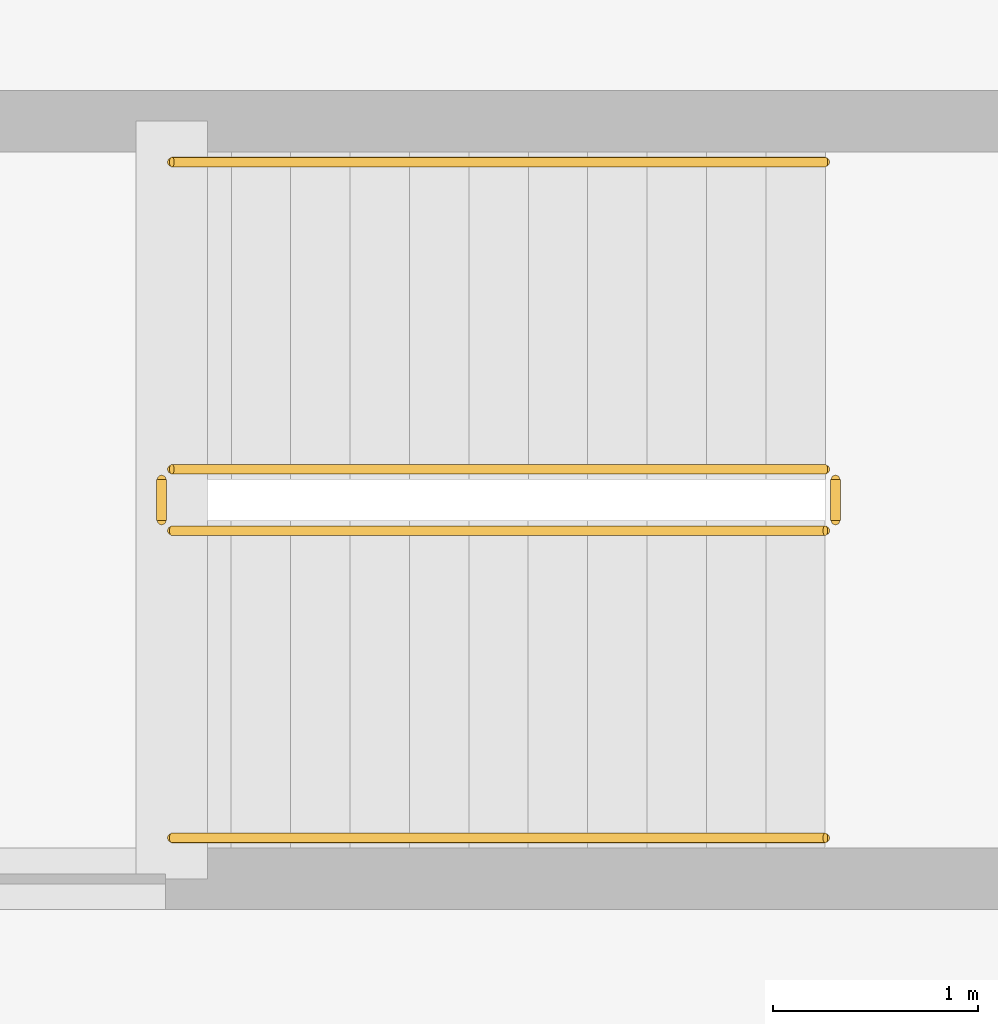
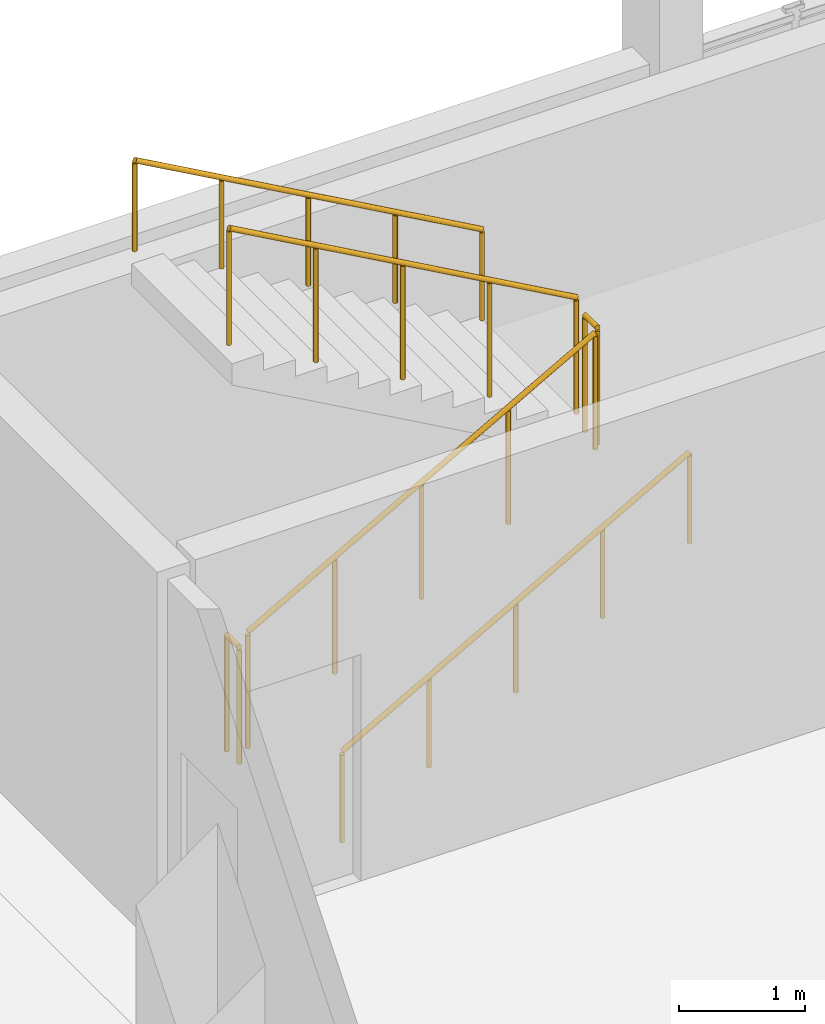
# One storey, part 185 of 188: 6 railings.
"""IFC4 building model written with IfcOpenShell, lengths in metres."""

from ifc_helpers import new_model, si_unit, direction, frame, origin, origin_2d, place, context, subcontext, project, spatial, circle, extrude, material, type_object, element, save


model = new_model("IFC4")

# Units and contexts
model_context = context("Model", 3, precision=1e-05, world=origin(), true_north=direction((0.0, 1.0)))
body_context = subcontext(model_context, "Body", "Model", "MODEL_VIEW")
ifc_project = project(units=[si_unit("LENGTHUNIT", "METRE"), si_unit("AREAUNIT", "SQUARE_METRE"), si_unit("VOLUMEUNIT", "CUBIC_METRE"), si_unit("PLANEANGLEUNIT", "RADIAN"), si_unit("MASSUNIT", "GRAM", prefix="KILO")], contexts=[model_context])

# Site, building, storey
site_placement = place(None, origin())
site = spatial("IfcSite", under=ifc_project, at=site_placement, CompositionType="ELEMENT")
building_placement = place(site_placement, origin())
building = spatial("IfcBuilding", under=site, at=building_placement, Name="Kisaragi Civic Commons", CompositionType="ELEMENT")
storey_placement = place(building_placement, frame((0.0, 0.0, 9.60009765625)))
storey = spatial("IfcBuildingStorey", under=building, at=storey_placement, Name="L02", CompositionType="ELEMENT", Elevation=9.60009765625)

# Railings
ifc_material = material(Name="Powder-coated architectural steel and hinoki cap rail", Category="steel")
railing_type_1 = type_object("IfcRailingType", Name="GRD-S1", PredefinedType="GUARDRAIL", material=ifc_material)
railing_1_placement = place(storey_placement, frame((91.39990234375, 115.35009765625, 0.162353515625)))
element("IfcRailing", 1, at=railing_1_placement, inside=storey, type_object=railing_type_1, Name="L02 ST-L4 stair guard 1", PredefinedType="GUARDRAIL", context=body_context, shape_type="SweptSolid", body=[
    extrude(circle(Radius=0.02392578125, at=origin_2d()), frame((0.0, 0.0, 1.1259765625), z_axis=(0.87237847985, 0.0, 0.488831042279), x_axis=(0.0, 1.0, 0.0)), (0.0, 0.0, 1.0), 3.656982421875),
    extrude(circle(Radius=0.02099609375, at=origin_2d()), origin(), (0.0, 0.0, 1.0), 1.101806640625),
    extrude(circle(Radius=0.02099609375, at=origin_2d()), frame((0.797607421875, 0.0, 0.44677734375)), (0.0, 0.0, 1.0), 1.101806640625),
    extrude(circle(Radius=0.02099609375, at=origin_2d()), frame((1.59521484375, 0.0, 0.893798828125)), (0.0, 0.0, 1.0), 1.101806640625),
    extrude(circle(Radius=0.02099609375, at=origin_2d()), frame((2.392578125, 0.0, 1.3408203125)), (0.0, 0.0, 1.0), 1.101806640625),
    extrude(circle(Radius=0.02099609375, at=origin_2d()), frame((3.190185546875, 0.0, 1.78759765625)), (0.0, 0.0, 1.0), 1.101806640625),
])
railing_2_placement = place(storey_placement, frame((94.639892578125, 115.39990234375, 1.949951171875)))
element("IfcRailing", 2, at=railing_2_placement, inside=storey, type_object=railing_type_1, Name="L02 ST-L4 stair guard 2", PredefinedType="GUARDRAIL", context=body_context, shape_type="SweptSolid", body=[
    extrude(circle(Radius=0.02392578125, at=origin_2d()), frame((0.0, 0.0, 1.1259765625), z_axis=(0.0, 1.0, 0.0), x_axis=(-1.0, 0.0, 0.0)), (0.0, 0.0, 1.0), 0.2001953125),
    extrude(circle(Radius=0.02099609375, at=origin_2d()), origin(), (0.0, 0.0, 1.0), 1.101806640625),
    extrude(circle(Radius=0.02099609375, at=origin_2d()), frame((0.0, 0.2001953125, 0.0)), (0.0, 0.0, 1.0), 1.101806640625),
])
railing_3_placement = place(storey_placement, frame((94.590087890625, 115.64990234375, 2.1123046875)))
element("IfcRailing", 3, at=railing_3_placement, inside=storey, type_object=railing_type_1, Name="L02 ST-L4 stair guard 3", PredefinedType="GUARDRAIL", context=body_context, shape_type="SweptSolid", body=[
    extrude(circle(Radius=0.02392578125, at=origin_2d()), frame((0.0, 0.0, 1.1259765625), z_axis=(-0.87237847985, 0.0, 0.488831042279), x_axis=(0.0, -1.0, 0.0)), (0.0, 0.0, 1.0), 3.656982421875),
    extrude(circle(Radius=0.02099609375, at=origin_2d()), origin(), (0.0, 0.0, 1.0), 1.101806640625),
    extrude(circle(Radius=0.02099609375, at=origin_2d()), frame((-0.797607421875, 0.0, 0.44677734375)), (0.0, 0.0, 1.0), 1.101806640625),
    extrude(circle(Radius=0.02099609375, at=origin_2d()), frame((-1.59521484375, 0.0, 0.893798828125)), (0.0, 0.0, 1.0), 1.101806640625),
    extrude(circle(Radius=0.02099609375, at=origin_2d()), frame((-2.392578125, 0.0, 1.3408203125)), (0.0, 0.0, 1.0), 1.101806640625),
    extrude(circle(Radius=0.02099609375, at=origin_2d()), frame((-3.190185546875, 0.0, 1.78759765625)), (0.0, 0.0, 1.0), 1.101806640625),
])
railing_4_placement = place(storey_placement, frame((91.35009765625, 115.39990234375, 0.0)))
element("IfcRailing", 4, at=railing_4_placement, inside=storey, type_object=railing_type_1, Name="L02 ST-L4 stair guard 4", PredefinedType="GUARDRAIL", context=body_context, shape_type="SweptSolid", body=[
    extrude(circle(Radius=0.02392578125, at=origin_2d()), frame((0.0, 0.0, 1.1259765625), z_axis=(0.0, 1.0, 0.0), x_axis=(-1.0, 0.0, 0.0)), (0.0, 0.0, 1.0), 0.2001953125),
    extrude(circle(Radius=0.02099609375, at=origin_2d()), origin(), (0.0, 0.0, 1.0), 1.101806640625),
    extrude(circle(Radius=0.02099609375, at=origin_2d()), frame((0.0, 0.2001953125, 0.0)), (0.0, 0.0, 1.0), 1.101806640625),
])
railing_type_2 = type_object("IfcRailingType", Name="HRL-01", PredefinedType="HANDRAIL", material=ifc_material)
railing_5_placement = place(storey_placement, frame((91.39990234375, 113.85009765625, 0.162353515625)))
element("IfcRailing", 5, at=railing_5_placement, inside=storey, type_object=railing_type_2, Name="L02 ST-L4 stair handrail 1", PredefinedType="HANDRAIL", context=body_context, shape_type="SweptSolid", body=[
    extrude(circle(Radius=0.02392578125, at=origin_2d()), frame((0.0, 0.0, 0.8759765625), z_axis=(0.87237847985, 0.0, 0.488831042279), x_axis=(0.0, 1.0, 0.0)), (0.0, 0.0, 1.0), 3.656982421875),
    extrude(circle(Radius=0.02099609375, at=origin_2d()), origin(), (0.0, 0.0, 1.0), 0.851806640625),
    extrude(circle(Radius=0.02099609375, at=origin_2d()), frame((0.797607421875, 0.0, 0.44677734375)), (0.0, 0.0, 1.0), 0.851806640625),
    extrude(circle(Radius=0.02099609375, at=origin_2d()), frame((1.59521484375, 0.0, 0.893798828125)), (0.0, 0.0, 1.0), 0.851806640625),
    extrude(circle(Radius=0.02099609375, at=origin_2d()), frame((2.392578125, 0.0, 1.3408203125)), (0.0, 0.0, 1.0), 0.851806640625),
    extrude(circle(Radius=0.02099609375, at=origin_2d()), frame((3.190185546875, 0.0, 1.78759765625)), (0.0, 0.0, 1.0), 0.851806640625),
])
railing_6_placement = place(storey_placement, frame((94.590087890625, 117.14990234375, 2.1123046875)))
element("IfcRailing", 6, at=railing_6_placement, inside=storey, type_object=railing_type_2, Name="L02 ST-L4 stair handrail 2", PredefinedType="HANDRAIL", context=body_context, shape_type="SweptSolid", body=[
    extrude(circle(Radius=0.02392578125, at=origin_2d()), frame((0.0, 0.0, 0.8759765625), z_axis=(-0.87237847985, 0.0, 0.488831042279), x_axis=(0.0, -1.0, 0.0)), (0.0, 0.0, 1.0), 3.656982421875),
    extrude(circle(Radius=0.02099609375, at=origin_2d()), origin(), (0.0, 0.0, 1.0), 0.851806640625),
    extrude(circle(Radius=0.02099609375, at=origin_2d()), frame((-0.797607421875, 0.0, 0.44677734375)), (0.0, 0.0, 1.0), 0.851806640625),
    extrude(circle(Radius=0.02099609375, at=origin_2d()), frame((-1.59521484375, 0.0, 0.893798828125)), (0.0, 0.0, 1.0), 0.851806640625),
    extrude(circle(Radius=0.02099609375, at=origin_2d()), frame((-2.392578125, 0.0, 1.3408203125)), (0.0, 0.0, 1.0), 0.851806640625),
    extrude(circle(Radius=0.02099609375, at=origin_2d()), frame((-3.190185546875, 0.0, 1.78759765625)), (0.0, 0.0, 1.0), 0.851806640625),
])

save(model, "model.ifc")
